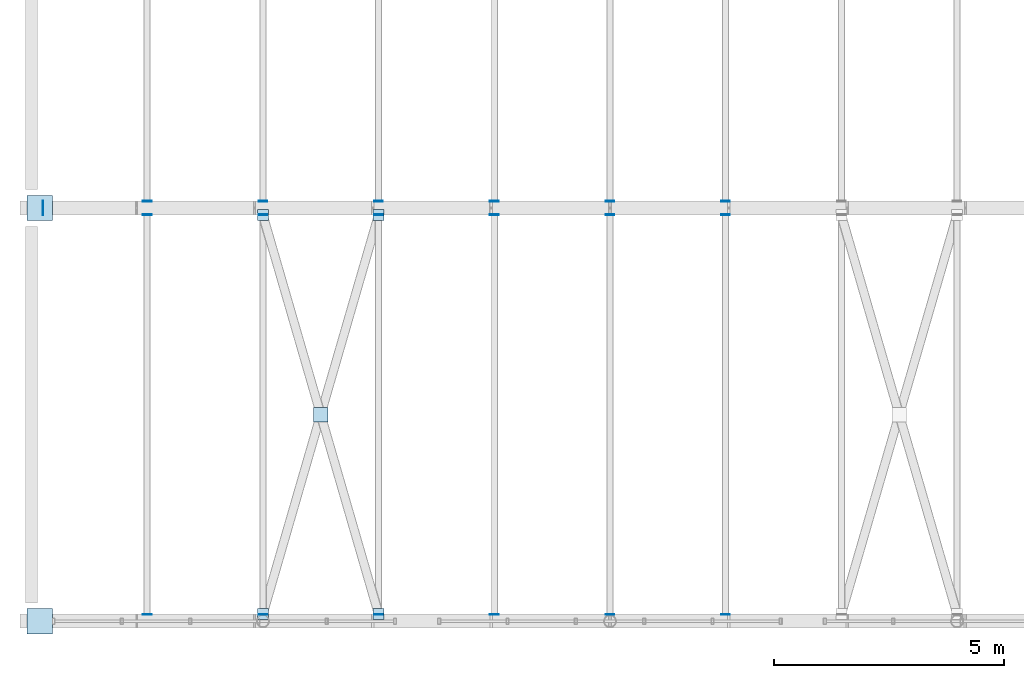
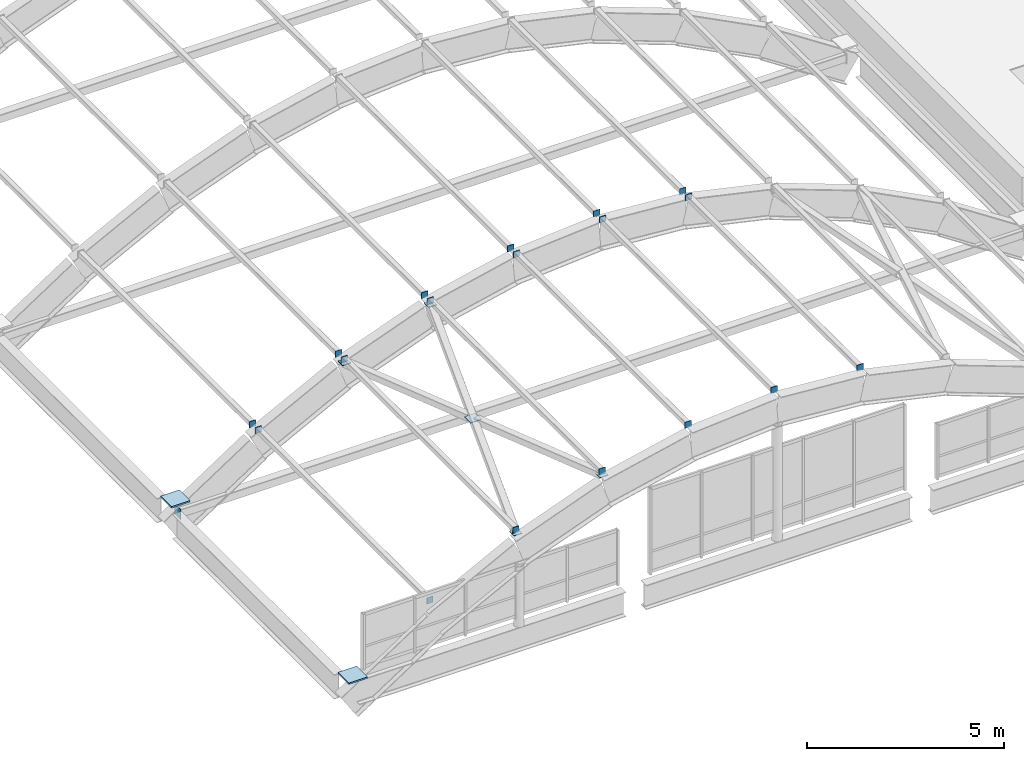
# One storey, part 104 of 130: 26 plates.
"""IFC4 building model written with IfcOpenShell, lengths in metres."""

from ifc_helpers import new_model, si_unit, direction, frame, origin, origin_2d, place, context, subcontext, project, spatial, rectangle, extrude, material, layer, layer_set, type_object, element, save


model = new_model("IFC4")

# Units and contexts
model_context = context("Model", 3, precision=1e-05, world=origin(), true_north=direction((0.0, 1.0)))
body_context = subcontext(model_context, "Body", "Model", "MODEL_VIEW")
ifc_project = project(units=[si_unit("LENGTHUNIT", "METRE"), si_unit("AREAUNIT", "SQUARE_METRE"), si_unit("VOLUMEUNIT", "CUBIC_METRE"), si_unit("PLANEANGLEUNIT", "RADIAN"), si_unit("MASSUNIT", "GRAM", prefix="KILO")], contexts=[model_context])

# Site, building, storey
site_placement = place(None, origin())
site = spatial("IfcSite", under=ifc_project, at=site_placement, CompositionType="ELEMENT")
building_placement = place(site_placement, origin())
building = spatial("IfcBuilding", under=site, at=building_placement, Name="Vireocrest Preparatory School", CompositionType="ELEMENT")
storey_placement = place(building_placement, frame((0.0, 0.0, 9.0)))
storey = spatial("IfcBuildingStorey", under=building, at=storey_placement, Name="L02", CompositionType="ELEMENT", Elevation=9.0)

# Plates
ifc_material = material(Name="Structural steel ASTM A572 Grade 50", Category="steel")
ifc_layer_1 = layer(ifc_material, 0.0458984375)
ifc_layer_set_1 = layer_set([ifc_layer_1], Name="Structural steel ASTM A572 Grade 50")
plate_type_1 = type_object("IfcPlateType", Name="Barrel-Vault Springing Gusset Shoe Plate 46", PredefinedType="SHEET", material=ifc_layer_set_1)
for number, where, z_axis, x_axis, name in (
    (1, (0.179931640625, 9.0, -0.123046875), (0.0, 0.0, 1.0), (1.0, 0.0, 0.0), "Node AS1 Vault Springing Shoe VAULT_SPORTS-1W"),
    (2, (0.179931640625, 18.0, -0.123046875), (0.0, 0.0, 1.0), (1.0, 0.0, 0.0), "Node AS1 Vault Springing Shoe VAULT_SPORTS-2W"),
):
    element("IfcPlate", number, at=place(storey_placement, frame(where, z_axis=z_axis, x_axis=x_axis)), inside=storey, type_object=plate_type_1, Name=name, PredefinedType="SHEET", context=body_context, shape_type="SweptSolid", body=[
        extrude(rectangle(XDim=0.550048828125, YDim=0.550048828125, at=origin_2d()), origin(), (0.0, 0.0, 1.0), 0.0458984375),
    ])
ifc_layer_2 = layer(ifc_material, 0.02001953125)
ifc_layer_set_2 = layer_set([ifc_layer_2], Name="Structural steel ASTM A572 Grade 50")
plate_type_2 = type_object("IfcPlateType", Name="Hollow Section Steel End Cap Plate 20", PredefinedType="SHEET", material=ifc_layer_set_2)
plate_1_placement = place(storey_placement, frame((0.25, 18.0, -0.671142578125), z_axis=(0.0, 0.0, 1.0), x_axis=(1.0, 0.0, 0.0)))
element("IfcPlate", 3, at=plate_1_placement, inside=storey, type_object=plate_type_2, Name="End Cap Plate CP1 VAULT_SPORTS Tie 2W", PredefinedType="SHEET", context=body_context, shape_type="SweptSolid", body=[
    extrude(rectangle(XDim=0.02001953125, YDim=0.31396484375, at=origin_2d()), origin(), (0.0, 0.0, 1.0), 0.31396484375),
])
for number, where, z_axis, x_axis, name in (
    (4, (5.0400390625, 9.152587890625, 2.519775390625), (0.0, 0.0, 1.0), (1.0, 0.0, 0.0), "Brace Cap Plate CP1 VAULT_SPORTS-1-3A"),
    (5, (7.56005859375, 17.847412109375, 3.439697265625), (0.0, 0.0, 1.0), (1.0, 0.0, 0.0), "Brace Cap Plate CP1 VAULT_SPORTS-1-3B"),
):
    element("IfcPlate", number, at=place(storey_placement, frame(where, z_axis=z_axis, x_axis=x_axis)), inside=storey, type_object=plate_type_2, Name=name, PredefinedType="SHEET", context=body_context, shape_type="SweptSolid", body=[
        extrude(rectangle(XDim=0.239990234375, YDim=0.239990234375, at=origin_2d()), origin(), (0.0, 0.0, 1.0), 0.02001953125),
    ])
plate_2_placement = place(storey_placement, frame((6.300048828125, 13.5, 2.979736328125), z_axis=(0.0, 0.0, 1.0), x_axis=(1.0, 0.0, 0.0)))
element("IfcPlate", 6, at=plate_2_placement, inside=storey, type_object=plate_type_2, Name="X-Brace Crossing Gusset CP1 VAULT_SPORTS-1-3", PredefinedType="SHEET", context=body_context, shape_type="SweptSolid", body=[
    extrude(rectangle(XDim=0.320068359375, YDim=0.320068359375, at=origin_2d()), origin(), (0.0, 0.0, 1.0), 0.02001953125),
])
for number, where, z_axis, x_axis, name in (
    (7, (5.0400390625, 17.847412109375, 2.519775390625), (0.0, 0.0, 1.0), (1.0, 0.0, 0.0), "Brace Cap Plate CP1 VAULT_SPORTS-1-3C"),
    (8, (7.56005859375, 9.152587890625, 3.439697265625), (0.0, 0.0, 1.0), (1.0, 0.0, 0.0), "Brace Cap Plate CP1 VAULT_SPORTS-1-3D"),
):
    element("IfcPlate", number, at=place(storey_placement, frame(where, z_axis=z_axis, x_axis=x_axis)), inside=storey, type_object=plate_type_2, Name=name, PredefinedType="SHEET", context=body_context, shape_type="SweptSolid", body=[
        extrude(rectangle(XDim=0.239990234375, YDim=0.239990234375, at=origin_2d()), origin(), (0.0, 0.0, 1.0), 0.02001953125),
    ])
ifc_layer_3 = layer(ifc_material, 0.01611328125)
ifc_layer_set_3 = layer_set([ifc_layer_3], Name="Structural steel ASTM A572 Grade 50")
plate_type_3 = type_object("IfcPlateType", Name="Sports Vault Purlin Steel End Cap Plate 16", PredefinedType="SHEET", material=ifc_layer_set_3)
for number, where, z_axis, x_axis, name in (
    (9, (2.52001953125, 9.1474609375, 1.227783203125), (0.0, 0.0, 1.0), (1.0, 0.0, 0.0), "Purlin End Cap CP2 VAULT_SPORTS B1-S-2"),
    (10, (2.52001953125, 17.8525390625, 1.227783203125), (0.0, 0.0, 1.0), (1.0, 0.0, 0.0), "Purlin End Cap CP2 VAULT_SPORTS B1-N-2"),
    (11, (5.0400390625, 9.1474609375, 2.52685546875), (0.0, 0.0, 1.0), (1.0, 0.0, 0.0), "Purlin End Cap CP2 VAULT_SPORTS B1-S-3"),
    (12, (5.0400390625, 17.8525390625, 2.52685546875), (0.0, 0.0, 1.0), (1.0, 0.0, 0.0), "Purlin End Cap CP2 VAULT_SPORTS B1-N-3"),
    (13, (7.56005859375, 9.1474609375, 3.4580078125), (0.0, 0.0, 1.0), (1.0, 0.0, 0.0), "Purlin End Cap CP2 VAULT_SPORTS B1-S-4"),
    (14, (7.56005859375, 17.8525390625, 3.4580078125), (0.0, 0.0, 1.0), (1.0, 0.0, 0.0), "Purlin End Cap CP2 VAULT_SPORTS B1-N-4"),
    (15, (10.080078125, 9.1474609375, 4.02099609375), (0.0, 0.0, 1.0), (1.0, 0.0, 0.0), "Purlin End Cap CP2 VAULT_SPORTS B1-S-5"),
    (16, (10.080078125, 17.8525390625, 4.02099609375), (0.0, 0.0, 1.0), (1.0, 0.0, 0.0), "Purlin End Cap CP2 VAULT_SPORTS B1-N-5"),
    (17, (12.60009765625, 9.1474609375, 4.21630859375), (0.0, 0.0, 1.0), (1.0, 0.0, 0.0), "Purlin End Cap CP2 VAULT_SPORTS B1-S-6"),
    (18, (12.60009765625, 17.8525390625, 4.21630859375), (0.0, 0.0, 1.0), (1.0, 0.0, 0.0), "Purlin End Cap CP2 VAULT_SPORTS B1-N-6"),
    (19, (15.1201171875, 9.1474609375, 4.02099609375), (0.0, 0.0, 1.0), (1.0, 0.0, 0.0), "Purlin End Cap CP2 VAULT_SPORTS B1-S-7"),
    (20, (15.1201171875, 17.8525390625, 4.02099609375), (0.0, 0.0, 1.0), (1.0, 0.0, 0.0), "Purlin End Cap CP2 VAULT_SPORTS B1-N-7"),
    (21, (2.52001953125, 18.1474609375, 1.227783203125), (0.0, 0.0, 1.0), (1.0, 0.0, 0.0), "Purlin End Cap CP2 VAULT_SPORTS B2-S-2"),
    (22, (5.0400390625, 18.1474609375, 2.52685546875), (0.0, 0.0, 1.0), (1.0, 0.0, 0.0), "Purlin End Cap CP2 VAULT_SPORTS B2-S-3"),
    (23, (7.56005859375, 18.1474609375, 3.4580078125), (0.0, 0.0, 1.0), (1.0, 0.0, 0.0), "Purlin End Cap CP2 VAULT_SPORTS B2-S-4"),
    (24, (10.080078125, 18.1474609375, 4.02099609375), (0.0, 0.0, 1.0), (1.0, 0.0, 0.0), "Purlin End Cap CP2 VAULT_SPORTS B2-S-5"),
    (25, (12.60009765625, 18.1474609375, 4.21630859375), (0.0, 0.0, 1.0), (1.0, 0.0, 0.0), "Purlin End Cap CP2 VAULT_SPORTS B2-S-6"),
    (26, (15.1201171875, 18.1474609375, 4.02099609375), (0.0, 0.0, 1.0), (1.0, 0.0, 0.0), "Purlin End Cap CP2 VAULT_SPORTS B2-S-7"),
):
    element("IfcPlate", number, at=place(storey_placement, frame(where, z_axis=z_axis, x_axis=x_axis)), inside=storey, type_object=plate_type_3, Name=name, PredefinedType="SHEET", context=body_context, shape_type="SweptSolid", body=[
        extrude(rectangle(XDim=0.18798828125, YDim=0.01611328125, at=origin_2d()), origin(), (0.0, 0.0, 1.0), 0.18798828125),
    ])

save(model, "model.ifc")
